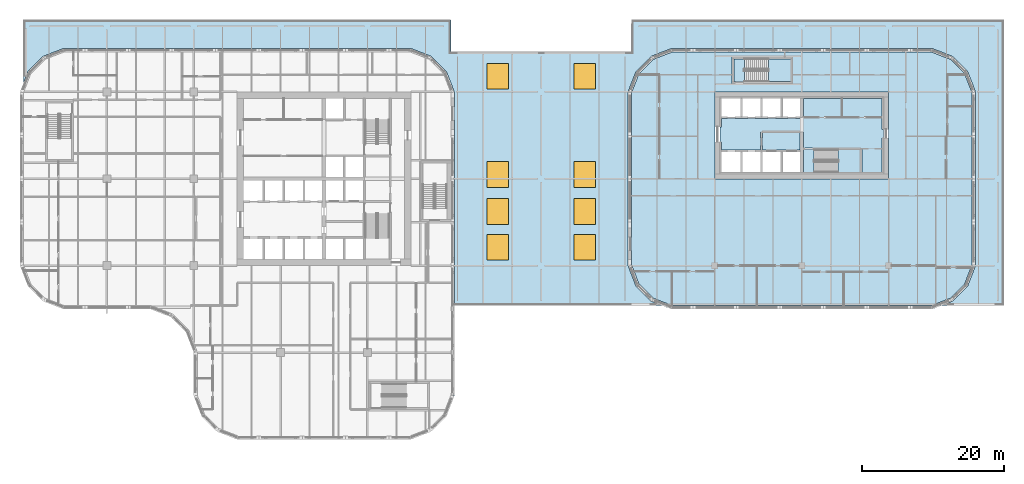
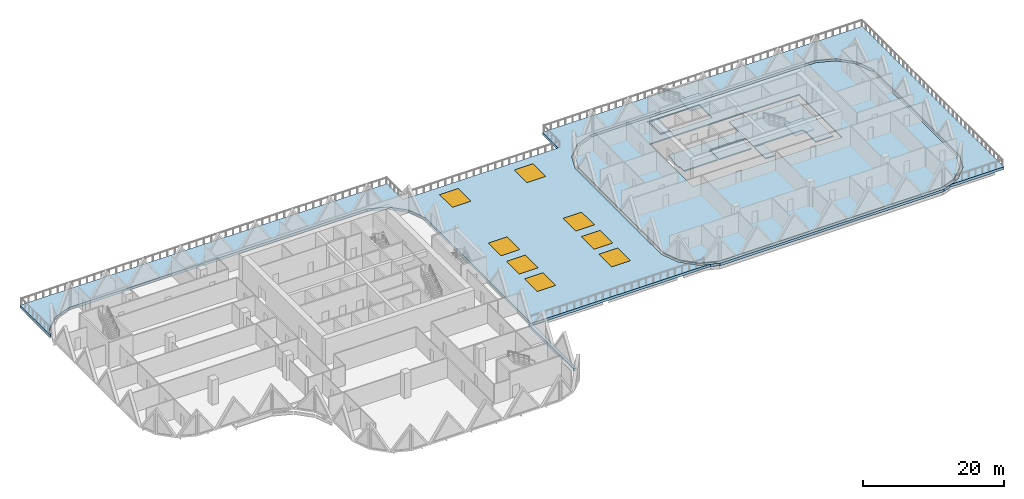
# One storey, part 5 of 21: 8 slabs, 8 windows, 8 openings, 2 elements without a shape of their own.
"""IFC4 building model written with IfcOpenShell, lengths in metres."""

from ifc_helpers import new_model, si_unit, direction, frame, origin, origin_2d, place, context, subcontext, project, spatial, polyline, rectangle, outline, extrude, material, layer, layer_set, type_object, element, fill, aggregate, save


model = new_model("IFC4")

# Units and contexts
model_context = context("Model", 3, precision=1e-05, world=origin(), true_north=direction((0.0, 1.0)))
body_context = subcontext(model_context, "Body", "Model", "MODEL_VIEW")
ifc_project = project(units=[si_unit("LENGTHUNIT", "METRE"), si_unit("AREAUNIT", "SQUARE_METRE"), si_unit("VOLUMEUNIT", "CUBIC_METRE"), si_unit("PLANEANGLEUNIT", "RADIAN"), si_unit("MASSUNIT", "GRAM", prefix="KILO")], contexts=[model_context])

# Site, building, storey
site_placement = place(None, origin())
site = spatial("IfcSite", under=ifc_project, at=site_placement, CompositionType="ELEMENT")
building_placement = place(site_placement, origin())
building = spatial("IfcBuilding", under=site, at=building_placement, Name="Tessera Gate Towers", CompositionType="ELEMENT")
storey_placement = place(building_placement, frame((0.0, 0.0, 16.800048828125)))
storey = spatial("IfcBuildingStorey", under=building, at=storey_placement, Name="L03", CompositionType="ELEMENT", Elevation=16.800048828125)

# Slabs
ifc_material_1 = material(Name="Concrete C35/45", Category="concrete")
ifc_layer_1 = layer(ifc_material_1, 0.199951171875)
ifc_layer_set_1 = layer_set([ifc_layer_1], Name="COMPOSITE FLOOR 200")
slab_type_1 = type_object("IfcSlabType", Name="COMPOSITE FLOOR 200", PredefinedType="FLOOR", material=ifc_layer_set_1)
slab_1_placement = place(storey_placement, frame((0.0, 0.0, -0.199951171875)))
element("IfcSlab", 1, at=slab_1_placement, inside=storey, type_object=slab_type_1, Name="T2-L03", PredefinedType="FLOOR", context=body_context, shape_type="SweptSolid", body=[
    extrude(outline(polyline([(85.89990234375, 24.4931640625), (86.926025390625, 21.8330078125), (88.93310546875, 19.826171875), (91.593017578125, 18.800048828125), (128.0068359375, 18.800048828125), (130.6669921875, 19.826171875), (132.673828125, 21.8330078125), (133.699951171875, 24.4931640625), (133.699951171875, 48.706787109375), (132.673828125, 51.366943359375), (130.6669921875, 53.373779296875), (128.0068359375, 54.39990234375), (91.593017578125, 54.39990234375), (88.93310546875, 53.373779296875), (86.926025390625, 51.366943359375), (85.89990234375, 48.706787109375), (85.89990234375, 24.4931640625)]), holes=[polyline([(97.60009765625, 36.60009765625), (97.60009765625, 48.800048828125), (122.0, 48.800048828125), (122.0, 36.60009765625), (97.60009765625, 36.60009765625)]), polyline([(100.0, 50.0), (100.0, 53.699951171875), (108.5, 53.699951171875), (108.5, 50.0), (100.0, 50.0)])]), origin(), (0.0, 0.0, 1.0), 0.199951171875),
])
ifc_material_2 = material(Name="Concrete C35/45", Category="concrete")
ifc_layer_2 = layer(ifc_material_2, 0.199951171875)
ifc_layer_set_2 = layer_set([ifc_layer_2], Name="CORE FLOOR SLAB 200")
slab_type_2 = type_object("IfcSlabType", Name="CORE FLOOR SLAB 200", PredefinedType="FLOOR", material=ifc_layer_set_2)
slab_2_placement = place(storey_placement, frame((0.0, 0.0, -0.199951171875)))
element("IfcSlab", 2, at=slab_2_placement, inside=storey, type_object=slab_type_2, Name="L03 core floor slab", PredefinedType="FLOOR", context=body_context, shape_type="SweptSolid", body=[
    extrude(outline(polyline([(109.550048828125, 45.199951171875), (109.550048828125, 45.074951171875), (98.5, 45.074951171875), (98.5, 43.89990234375), (98.300048828125, 43.89990234375), (98.300048828125, 41.800048828125), (98.5, 41.800048828125), (98.5, 40.625), (104.02490234375, 40.625), (104.02490234375, 43.199951171875), (104.27490234375, 43.199951171875), (104.27490234375, 43.324951171875), (109.550048828125, 43.324951171875), (109.550048828125, 43.199951171875), (110.050048828125, 43.199951171875), (110.050048828125, 40.949951171875), (118.10009765625, 40.949951171875), (118.10009765625, 40.699951171875), (118.22509765625, 40.699951171875), (118.22509765625, 37.5), (121.10009765625, 37.5), (121.10009765625, 42.35009765625), (121.300048828125, 42.35009765625), (121.300048828125, 43.550048828125), (121.10009765625, 43.550048828125), (121.10009765625, 47.89990234375), (110.050048828125, 47.89990234375), (110.050048828125, 45.199951171875), (109.550048828125, 45.199951171875)])), origin(), (0.0, 0.0, 1.0), 0.199951171875),
])
slab_3_placement = place(storey_placement, frame((0.0, 0.0, -0.199951171875)))
element("IfcSlab", 3, at=slab_3_placement, inside=storey, type_object=slab_type_2, Name="L03 core floor slab", PredefinedType="FLOOR", context=body_context, shape_type="SweptSolid", body=[
    extrude(outline(polyline([(109.550048828125, 43.074951171875), (104.27490234375, 43.074951171875), (104.27490234375, 40.625), (109.550048828125, 40.625), (109.550048828125, 43.074951171875)])), origin(), (0.0, 0.0, 1.0), 0.199951171875),
])
slab_4_placement = place(storey_placement, frame((0.0, 0.0, -0.199951171875)))
element("IfcSlab", 4, at=slab_4_placement, inside=storey, type_object=slab_type_2, Name="L03 core floor slab", PredefinedType="FLOOR", context=body_context, shape_type="SweptSolid", body=[
    extrude(outline(polyline([(111.550048828125, 37.5), (111.550048828125, 40.699951171875), (110.050048828125, 40.699951171875), (110.050048828125, 37.5), (111.550048828125, 37.5)])), origin(), (0.0, 0.0, 1.0), 0.199951171875),
])
slab_5_placement = place(storey_placement, frame((0.0, 0.0, -0.199951171875)))
element("IfcSlab", 5, at=slab_5_placement, inside=storey, type_object=slab_type_2, Name="L03 ST7 floor landing", PredefinedType="FLOOR", context=body_context, shape_type="SweptSolid", body=[
    extrude(outline(polyline([(100.25, 50.25), (101.75, 50.25), (101.75, 53.449951171875), (100.25, 53.449951171875), (100.25, 50.25)])), origin(), (0.0, 0.0, 1.0), 0.199951171875),
])

# Stair, slab
ifc_material_3 = material(Name="Concrete C40/50", Category="concrete")
stair_type_1 = type_object("IfcStairType", Name="EXIT STAIR ST6B 1500", PredefinedType="HALF_TURN_STAIR", material=ifc_material_3)
stair_1_placement = place(storey_placement, origin())
stair_1 = element("IfcStair", 6, at=stair_1_placement, inside=storey, type_object=stair_type_1, Name="L03 Protected Exit Stair ST6", PredefinedType="HALF_TURN_STAIR")
ifc_material_4 = material(Name="Concrete C40/50", Category="concrete")
ifc_layer_3 = layer(ifc_material_4, 0.199951171875)
ifc_layer_set_3 = layer_set([ifc_layer_3], Name="EXIT STAIR LANDING 200")
slab_type_3 = type_object("IfcSlabType", Name="EXIT STAIR LANDING 200", PredefinedType="LANDING", material=ifc_layer_set_3)
slab_6_placement = place(storey_placement, frame((0.0, 0.0, 2.050048828125)))
slab_6 = element("IfcSlab", 7, at=slab_6_placement, type_object=slab_type_3, Name="ST6 landing 1", PredefinedType="LANDING", context=body_context, shape_type="SweptSolid", body=[
    extrude(outline(polyline([(114.909912109375, 37.5), (117.97509765625, 37.5), (117.97509765625, 40.699951171875), (114.909912109375, 40.699951171875), (114.909912109375, 37.5)])), origin(), (0.0, 0.0, 1.0), 0.199951171875),
])
aggregate(stair_1, [slab_6])

ifc_material_5 = material(Name="Concrete C40/50", Category="concrete")
stair_type_2 = type_object("IfcStairType", Name="EXIT STAIR ST7B 1500", PredefinedType="HALF_TURN_STAIR", material=ifc_material_5)
stair_2_placement = place(storey_placement, origin())
stair_2 = element("IfcStair", 8, at=stair_2_placement, inside=storey, type_object=stair_type_2, Name="L03 North Exit Stair ST7", PredefinedType="HALF_TURN_STAIR")
slab_7_placement = place(storey_placement, frame((0.0, 0.0, 2.050048828125)))
slab_7 = element("IfcSlab", 9, at=slab_7_placement, type_object=slab_type_3, Name="ST7 landing 1", PredefinedType="LANDING", context=body_context, shape_type="SweptSolid", body=[
    extrude(outline(polyline([(105.110107421875, 50.25), (108.25, 50.25), (108.25, 53.449951171875), (105.110107421875, 53.449951171875), (105.110107421875, 50.25)])), origin(), (0.0, 0.0, 1.0), 0.199951171875),
])
aggregate(stair_2, [slab_7])

# Slab, openings, windows
ifc_material_6 = material(Name="Concrete C35/45", Category="concrete")
ifc_layer_4 = layer(ifc_material_6, 0.449951171875)
ifc_layer_set_4 = layer_set([ifc_layer_4], Name="ROOF SLAB 450")
slab_type_4 = type_object("IfcSlabType", Name="ROOF SLAB 450", PredefinedType="ROOF", material=ifc_layer_set_4)
slab_8_placement = place(storey_placement, frame((0.0, 0.0, -0.449951171875)))
slab_8 = element("IfcSlab", 10, at=slab_8_placement, inside=storey, type_object=slab_type_4, Name="PD-ROOF", PredefinedType="ROOF", context=body_context, shape_type="SweptSolid", body=[
    extrude(outline(polyline([(0.5, 50.09619140625), (1.09765625, 51.6455078125), (3.25439453125, 53.80224609375), (6.10009765625, 54.89990234375), (54.89990234375, 54.89990234375), (57.74560546875, 53.80224609375), (59.90234375, 51.6455078125), (61.0, 48.800048828125), (61.0, 18.800048828125), (60.5, 18.800048828125), (60.5, 6.193115234375), (60.49609375, 6.1826171875), (60.49609375, 6.10009765625), (60.49609375, 6.099609375), (60.49609375, 6.09912109375), (60.49609375, 6.098876953125), (60.496337890625, 6.098388671875), (60.49658203125, 6.09814453125), (60.49658203125, 6.097900390625), (60.496826171875, 6.097412109375), (60.497314453125, 6.09716796875), (60.49755859375, 6.096923828125), (60.497802734375, 6.0966796875), (60.498046875, 6.096435546875), (60.49853515625, 6.09619140625), (60.498779296875, 6.09619140625), (60.499267578125, 6.09619140625), (60.49951171875, 6.095947265625), (60.5, 6.095947265625), (60.99853515625, 6.095947265625), (61.0, 6.10009765625), (61.0, 18.300048828125), (61.00390625, 18.300048828125), (61.00390625, 18.800048828125), (90.192626953125, 18.800048828125), (91.489013671875, 18.300048828125), (91.49609375, 18.300048828125), (91.5, 18.300048828125), (91.50439453125, 18.300048828125), (128.095703125, 18.300048828125), (128.10009765625, 18.300048828125), (128.10400390625, 18.300048828125), (128.111083984375, 18.300048828125), (129.4072265625, 18.800048828125), (138.199951171875, 18.800048828125), (138.199951171875, 58.89990234375), (85.89990234375, 58.89990234375), (85.89990234375, 54.39990234375), (60.5, 54.39990234375), (60.5, 58.89990234375), (0.5, 58.89990234375), (0.5, 50.09619140625)]), holes=[polyline([(85.39990234375, 24.39990234375), (85.39990234375, 48.800048828125), (86.497802734375, 51.6455078125), (88.654296875, 53.80224609375), (91.5, 54.89990234375), (128.10009765625, 54.89990234375), (130.945556640625, 53.80224609375), (133.102294921875, 51.6455078125), (134.199951171875, 48.800048828125), (134.199951171875, 24.39990234375), (133.102294921875, 21.554443359375), (130.945556640625, 19.397705078125), (129.396240234375, 18.800048828125), (128.10400390625, 18.800048828125), (127.995849609375, 18.800048828125), (91.604248046875, 18.800048828125), (91.49609375, 18.800048828125), (90.203857421875, 18.800048828125), (88.654296875, 19.397705078125), (86.497802734375, 21.554443359375), (85.39990234375, 24.39990234375)])]), origin(), (0.0, 0.0, 1.0), 0.449951171875),
])
opening_1_placement = place(slab_8_placement, frame((67.10009765625, 27.0, -0.010009765625)))
opening_1 = element("IfcOpeningElement", 11, at=opening_1_placement, cuts=slab_8, Name="Opening PD-SL1-0001", PredefinedType="OPENING", context=body_context, shape_type="SweptSolid", body=[
    extrude(rectangle(XDim=3.050048828125, YDim=3.60009765625, at=origin_2d()), origin(), (0.0, 0.0, 1.0), 0.469970703125),
])
opening_2_placement = place(slab_8_placement, frame((79.300048828125, 27.0, -0.010009765625)))
opening_2 = element("IfcOpeningElement", 12, at=opening_2_placement, cuts=slab_8, Name="Opening PD-SL1-0002", PredefinedType="OPENING", context=body_context, shape_type="SweptSolid", body=[
    extrude(rectangle(XDim=3.050048828125, YDim=3.60009765625, at=origin_2d()), origin(), (0.0, 0.0, 1.0), 0.469970703125),
])
opening_3_placement = place(slab_8_placement, frame((67.10009765625, 32.0, -0.010009765625)))
opening_3 = element("IfcOpeningElement", 13, at=opening_3_placement, cuts=slab_8, Name="Opening PD-SL1-0003", PredefinedType="OPENING", context=body_context, shape_type="SweptSolid", body=[
    extrude(rectangle(XDim=3.050048828125, YDim=3.60009765625, at=origin_2d()), origin(), (0.0, 0.0, 1.0), 0.469970703125),
])
opening_4_placement = place(slab_8_placement, frame((79.300048828125, 32.0, -0.010009765625)))
opening_4 = element("IfcOpeningElement", 14, at=opening_4_placement, cuts=slab_8, Name="Opening PD-SL1-0004", PredefinedType="OPENING", context=body_context, shape_type="SweptSolid", body=[
    extrude(rectangle(XDim=3.050048828125, YDim=3.60009765625, at=origin_2d()), origin(), (0.0, 0.0, 1.0), 0.469970703125),
])
opening_5_placement = place(slab_8_placement, frame((67.10009765625, 37.199951171875, -0.010009765625)))
opening_5 = element("IfcOpeningElement", 15, at=opening_5_placement, cuts=slab_8, Name="Opening PD-SL1-0005", PredefinedType="OPENING", context=body_context, shape_type="SweptSolid", body=[
    extrude(rectangle(XDim=3.050048828125, YDim=3.60009765625, at=origin_2d()), origin(), (0.0, 0.0, 1.0), 0.469970703125),
])
opening_6_placement = place(slab_8_placement, frame((79.300048828125, 37.199951171875, -0.010009765625)))
opening_6 = element("IfcOpeningElement", 16, at=opening_6_placement, cuts=slab_8, Name="Opening PD-SL1-0006", PredefinedType="OPENING", context=body_context, shape_type="SweptSolid", body=[
    extrude(rectangle(XDim=3.050048828125, YDim=3.60009765625, at=origin_2d()), origin(), (0.0, 0.0, 1.0), 0.469970703125),
])
opening_7_placement = place(slab_8_placement, frame((67.10009765625, 51.0, -0.010009765625)))
opening_7 = element("IfcOpeningElement", 17, at=opening_7_placement, cuts=slab_8, Name="Opening PD-SL1-0007", PredefinedType="OPENING", context=body_context, shape_type="SweptSolid", body=[
    extrude(rectangle(XDim=3.050048828125, YDim=3.60009765625, at=origin_2d()), origin(), (0.0, 0.0, 1.0), 0.469970703125),
])
opening_8_placement = place(slab_8_placement, frame((79.300048828125, 51.0, -0.010009765625)))
opening_8 = element("IfcOpeningElement", 18, at=opening_8_placement, cuts=slab_8, Name="Opening PD-SL1-0008", PredefinedType="OPENING", context=body_context, shape_type="SweptSolid", body=[
    extrude(rectangle(XDim=3.050048828125, YDim=3.60009765625, at=origin_2d()), origin(), (0.0, 0.0, 1.0), 0.469970703125),
])
ifc_material_7 = material(Name="Low-e laminated glass in aluminium frame", Category="aluminium")
ifc_layer_5 = layer(ifc_material_7, 0.050048828125)
ifc_layer_set_5 = layer_set([ifc_layer_5], Name="SL1 galleria skylight")
window_type = type_object("IfcWindowType", Name="SL1 galleria skylight", PartitioningType="SINGLE_PANEL", PredefinedType="SKYLIGHT", material=ifc_layer_set_5)
window_1_placement = place(opening_1_placement, frame((0.0, 0.0, 0.409912109375)))
window_1 = element("IfcWindow", 19, at=window_1_placement, inside=storey, type_object=window_type, Name="Galleria skylight PD-SL1-0001", OverallHeight=3.60009765625, OverallWidth=3.050048828125, PartitioningType="SINGLE_PANEL", PredefinedType="SKYLIGHT", context=body_context, shape_type="SweptSolid", body=[
    extrude(rectangle(XDim=3.050048828125, YDim=3.60009765625, at=origin_2d()), origin(), (0.0, 0.0, 1.0), 0.050048828125),
])
fill(opening_1, window_1)
window_2_placement = place(opening_2_placement, frame((0.0, 0.0, 0.409912109375)))
window_2 = element("IfcWindow", 20, at=window_2_placement, inside=storey, type_object=window_type, Name="Galleria skylight PD-SL1-0002", OverallHeight=3.60009765625, OverallWidth=3.050048828125, PartitioningType="SINGLE_PANEL", PredefinedType="SKYLIGHT", context=body_context, shape_type="SweptSolid", body=[
    extrude(rectangle(XDim=3.050048828125, YDim=3.60009765625, at=origin_2d()), origin(), (0.0, 0.0, 1.0), 0.050048828125),
])
fill(opening_2, window_2)
window_3_placement = place(opening_3_placement, frame((0.0, 0.0, 0.409912109375)))
window_3 = element("IfcWindow", 21, at=window_3_placement, inside=storey, type_object=window_type, Name="Galleria skylight PD-SL1-0003", OverallHeight=3.60009765625, OverallWidth=3.050048828125, PartitioningType="SINGLE_PANEL", PredefinedType="SKYLIGHT", context=body_context, shape_type="SweptSolid", body=[
    extrude(rectangle(XDim=3.050048828125, YDim=3.60009765625, at=origin_2d()), origin(), (0.0, 0.0, 1.0), 0.050048828125),
])
fill(opening_3, window_3)
window_4_placement = place(opening_4_placement, frame((0.0, 0.0, 0.409912109375)))
window_4 = element("IfcWindow", 22, at=window_4_placement, inside=storey, type_object=window_type, Name="Galleria skylight PD-SL1-0004", OverallHeight=3.60009765625, OverallWidth=3.050048828125, PartitioningType="SINGLE_PANEL", PredefinedType="SKYLIGHT", context=body_context, shape_type="SweptSolid", body=[
    extrude(rectangle(XDim=3.050048828125, YDim=3.60009765625, at=origin_2d()), origin(), (0.0, 0.0, 1.0), 0.050048828125),
])
fill(opening_4, window_4)
window_5_placement = place(opening_5_placement, frame((0.0, 0.0, 0.409912109375)))
window_5 = element("IfcWindow", 23, at=window_5_placement, inside=storey, type_object=window_type, Name="Galleria skylight PD-SL1-0005", OverallHeight=3.60009765625, OverallWidth=3.050048828125, PartitioningType="SINGLE_PANEL", PredefinedType="SKYLIGHT", context=body_context, shape_type="SweptSolid", body=[
    extrude(rectangle(XDim=3.050048828125, YDim=3.60009765625, at=origin_2d()), origin(), (0.0, 0.0, 1.0), 0.050048828125),
])
fill(opening_5, window_5)
window_6_placement = place(opening_6_placement, frame((0.0, 0.0, 0.409912109375)))
window_6 = element("IfcWindow", 24, at=window_6_placement, inside=storey, type_object=window_type, Name="Galleria skylight PD-SL1-0006", OverallHeight=3.60009765625, OverallWidth=3.050048828125, PartitioningType="SINGLE_PANEL", PredefinedType="SKYLIGHT", context=body_context, shape_type="SweptSolid", body=[
    extrude(rectangle(XDim=3.050048828125, YDim=3.60009765625, at=origin_2d()), origin(), (0.0, 0.0, 1.0), 0.050048828125),
])
fill(opening_6, window_6)
window_7_placement = place(opening_7_placement, frame((0.0, 0.0, 0.409912109375)))
window_7 = element("IfcWindow", 25, at=window_7_placement, inside=storey, type_object=window_type, Name="Galleria skylight PD-SL1-0007", OverallHeight=3.60009765625, OverallWidth=3.050048828125, PartitioningType="SINGLE_PANEL", PredefinedType="SKYLIGHT", context=body_context, shape_type="SweptSolid", body=[
    extrude(rectangle(XDim=3.050048828125, YDim=3.60009765625, at=origin_2d()), origin(), (0.0, 0.0, 1.0), 0.050048828125),
])
fill(opening_7, window_7)
window_8_placement = place(opening_8_placement, frame((0.0, 0.0, 0.409912109375)))
window_8 = element("IfcWindow", 26, at=window_8_placement, inside=storey, type_object=window_type, Name="Galleria skylight PD-SL1-0008", OverallHeight=3.60009765625, OverallWidth=3.050048828125, PartitioningType="SINGLE_PANEL", PredefinedType="SKYLIGHT", context=body_context, shape_type="SweptSolid", body=[
    extrude(rectangle(XDim=3.050048828125, YDim=3.60009765625, at=origin_2d()), origin(), (0.0, 0.0, 1.0), 0.050048828125),
])
fill(opening_8, window_8)

save(model, "model.ifc")
